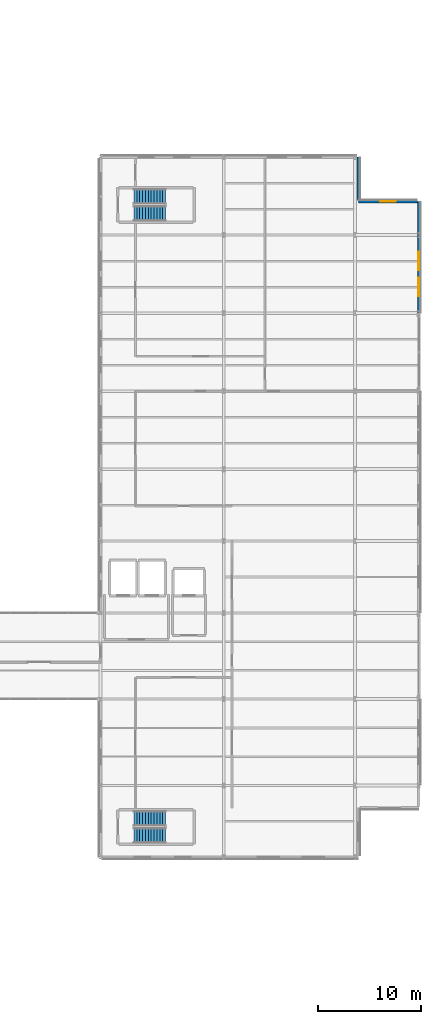
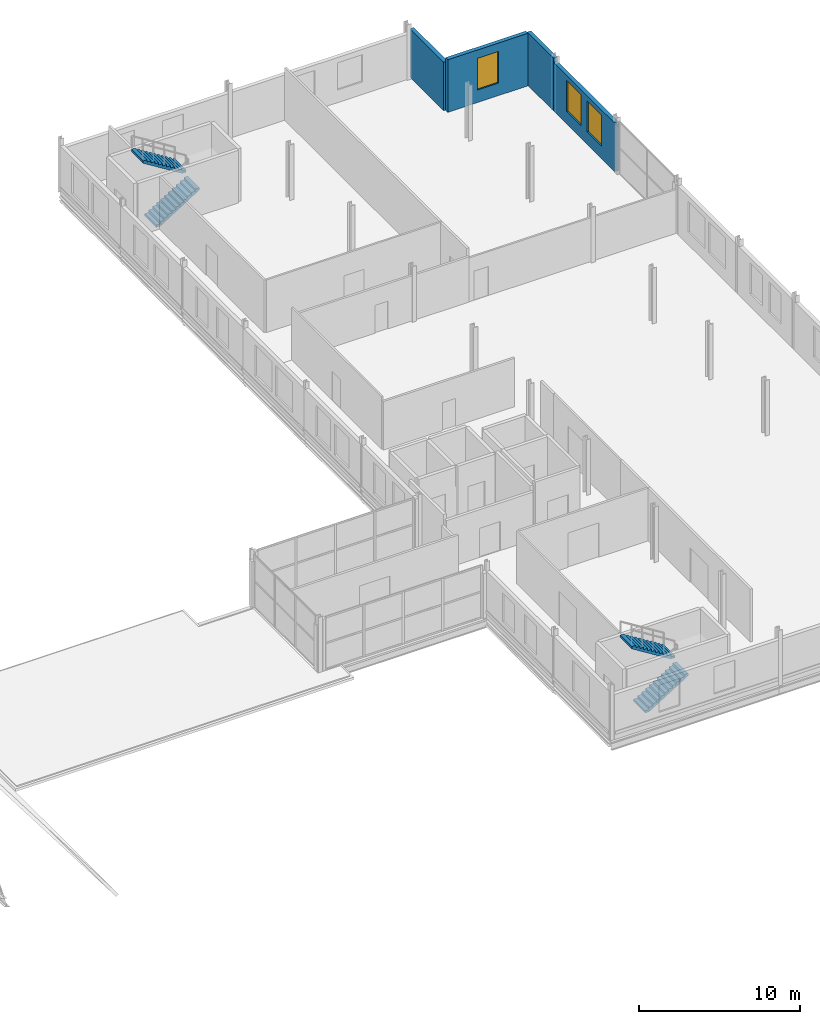
# One storey, part 88 of 93: 4 stair flights, 4 walls, 3 windows, 3 openings, 2 elements without a shape of their own.
"""IFC4 building model written with IfcOpenShell, lengths in metres."""

from ifc_helpers import new_model, si_unit, direction, frame, frame_2d, origin, place, context, subcontext, project, spatial, polyline, rectangle, outline, extrude, material, layer, layer_set, type_object, element, fill, aggregate, save


model = new_model("IFC4")

# Units and contexts
model_context = context("Model", 3, precision=1e-05, world=origin(), true_north=direction((0.0, 1.0)))
body_context = subcontext(model_context, "Body", "Model", "MODEL_VIEW")
ifc_project = project(units=[si_unit("LENGTHUNIT", "METRE"), si_unit("AREAUNIT", "SQUARE_METRE"), si_unit("VOLUMEUNIT", "CUBIC_METRE"), si_unit("PLANEANGLEUNIT", "RADIAN"), si_unit("MASSUNIT", "GRAM", prefix="KILO")], contexts=[model_context])

# Site, building, storey
site_placement = place(None, origin())
site = spatial("IfcSite", under=ifc_project, at=site_placement, CompositionType="ELEMENT")
building_placement = place(site_placement, origin())
building = spatial("IfcBuilding", under=site, at=building_placement, Name="Vekula Escarpment Museum", CompositionType="ELEMENT")
storey_placement = place(building_placement, frame((0.0, 0.0, 22.199951171875)))
storey = spatial("IfcBuildingStorey", under=building, at=storey_placement, Name="L05", CompositionType="ELEMENT", Elevation=22.199951171875)

# Wall, openings, windows
ifc_material_1 = material(Name="Inkisi arkosic sandstone masonry", Category="masonry")
ifc_layer = layer(ifc_material_1, 0.280029296875)
ifc_layer_set = layer_set([ifc_layer], Name="Inkisi arkosic sandstone masonry")
wall_type = type_object("IfcWallType", Name="WL-CUM-280", PredefinedType="SOLIDWALL", material=ifc_layer_set)
wall_1_placement = place(storey_placement, frame((198.0, 113.199951171875, 0.0), z_axis=(0.0, 0.0, 1.0), x_axis=(0.0, -1.0, 0.0)))
wall_1 = element("IfcWall", 1, at=wall_1_placement, inside=storey, type_object=wall_type, Name="Exterior Wall WL-EXT-L05-0891", PredefinedType="SOLIDWALL", context=body_context, shape_type="SweptSolid", body=[
    extrude(rectangle(XDim=7.599853515625, YDim=0.280029296875, at=frame_2d((3.7998046875, 0.0))), origin(), (0.0, 0.0, 1.0), 3.675048828125),
])
opening_1_placement = place(wall_1_placement, frame((1.63330078125, 0.0, 0.949951171875)))
opening_1 = element("IfcOpeningElement", 2, at=opening_1_placement, cuts=wall_1, Name="Opening WN-07", PredefinedType="OPENING", context=body_context, shape_type="SweptSolid", body=[
    extrude(rectangle(XDim=1.800048828125, YDim=2.330078125, at=frame_2d((0.89990234375, 1.1650390625))), frame((0.0, 0.14990234375, 0.0), z_axis=(0.0, -1.0, 0.0), x_axis=(1.0, 0.0, 0.0)), (0.0, 0.0, 1.0), 0.300048828125),
])
opening_2_placement = place(wall_1_placement, frame((4.166748046875, 0.0, 0.949951171875)))
opening_2 = element("IfcOpeningElement", 3, at=opening_2_placement, cuts=wall_1, Name="Opening WN-07", PredefinedType="OPENING", context=body_context, shape_type="SweptSolid", body=[
    extrude(rectangle(XDim=1.800048828125, YDim=2.330078125, at=frame_2d((0.89990234375, 1.1650390625))), frame((0.0, 0.14990234375, 0.0), z_axis=(0.0, -1.0, 0.0), x_axis=(1.0, 0.0, 0.0)), (0.0, 0.0, 1.0), 0.300048828125),
])
ifc_material_2 = material(Name="Double solar-control low-E glass", Category="glass")
window_type_1 = type_object("IfcWindowType", Name="WN-CUMBA-18x26", PartitioningType="DOUBLE_PANEL_VERTICAL", PredefinedType="WINDOW", material=ifc_material_2)
window_1_placement = place(opening_1_placement, origin())
window_1 = element("IfcWindow", 4, at=window_1_placement, inside=storey, type_object=window_type_1, Name="Window L05-0485", OverallHeight=2.330078125, OverallWidth=1.800048828125, PartitioningType="SINGLE_PANEL", PredefinedType="WINDOW", context=body_context, shape_type="SweptSolid", body=[
    extrude(rectangle(XDim=1.800048828125, YDim=2.330078125, at=frame_2d((0.89990234375, 1.1650390625))), frame((0.0, 0.030029296875, 0.0), z_axis=(0.0, -1.0, 0.0), x_axis=(1.0, 0.0, 0.0)), (0.0, 0.0, 1.0), 0.06005859375),
])
fill(opening_1, window_1)
window_2_placement = place(opening_2_placement, origin())
window_2 = element("IfcWindow", 5, at=window_2_placement, inside=storey, type_object=window_type_1, Name="Window L05-0486", OverallHeight=2.330078125, OverallWidth=1.800048828125, PartitioningType="SINGLE_PANEL", PredefinedType="WINDOW", context=body_context, shape_type="SweptSolid", body=[
    extrude(rectangle(XDim=1.800048828125, YDim=2.330078125, at=frame_2d((0.89990234375, 1.1650390625))), frame((0.0, 0.030029296875, 0.0), z_axis=(0.0, -1.0, 0.0), x_axis=(1.0, 0.0, 0.0)), (0.0, 0.0, 1.0), 0.06005859375),
])
fill(opening_2, window_2)

# Wall
wall_2_placement = place(storey_placement, frame((198.0, 116.468017578125, 0.0), z_axis=(0.0, 0.0, 1.0), x_axis=(0.0, -1.0, 0.0)))
element("IfcWall", 6, at=wall_2_placement, inside=storey, type_object=wall_type, Name="Exterior Wall WL-EXT-L05-0892", PredefinedType="SOLIDWALL", context=body_context, shape_type="SweptSolid", body=[
    extrude(rectangle(XDim=3.26806640625, YDim=0.280029296875, at=frame_2d((1.634033203125, 0.0))), origin(), (0.0, 0.0, 1.0), 3.97998046875),
])

# Wall, opening, window
wall_3_placement = place(storey_placement, frame((192.110107421875, 116.468017578125, 0.0), z_axis=(0.0, 0.0, 1.0), x_axis=(1.0, 0.0, 0.0)))
wall_3 = element("IfcWall", 7, at=wall_3_placement, inside=storey, type_object=wall_type, Name="Exterior Wall WL-EXT-L05-0893", PredefinedType="SOLIDWALL", context=body_context, shape_type="SweptSolid", body=[
    extrude(rectangle(XDim=5.745849609375, YDim=0.280029296875, at=frame_2d((2.873046875, 0.0))), origin(), (0.0, 0.0, 1.0), 3.97998046875),
])
opening_3_placement = place(wall_3_placement, frame((2.123046875, 0.0, 0.949951171875)))
opening_3 = element("IfcOpeningElement", 8, at=opening_3_placement, cuts=wall_3, Name="Opening WN-06", PredefinedType="OPENING", context=body_context, shape_type="SweptSolid", body=[
    extrude(rectangle(XDim=1.5, YDim=2.39990234375, at=frame_2d((0.75, 1.199951171875))), frame((0.0, 0.14990234375, 0.0), z_axis=(0.0, -1.0, 0.0), x_axis=(1.0, 0.0, 0.0)), (0.0, 0.0, 1.0), 0.300048828125),
])
ifc_material_3 = material(Name="Double solar-control low-E glass", Category="glass")
window_type_2 = type_object("IfcWindowType", Name="WN-CUMBA-15x24", PartitioningType="SINGLE_PANEL", PredefinedType="WINDOW", material=ifc_material_3)
window_3_placement = place(opening_3_placement, origin())
window_3 = element("IfcWindow", 9, at=window_3_placement, inside=storey, type_object=window_type_2, Name="Window L05-0487", OverallHeight=2.39990234375, OverallWidth=1.5, PartitioningType="SINGLE_PANEL", PredefinedType="WINDOW", context=body_context, shape_type="SweptSolid", body=[
    extrude(rectangle(XDim=1.5, YDim=2.39990234375, at=frame_2d((0.75, 1.199951171875))), frame((0.0, 0.030029296875, 0.0), z_axis=(0.0, -1.0, 0.0), x_axis=(1.0, 0.0, 0.0)), (0.0, 0.0, 1.0), 0.06005859375),
])
fill(opening_3, window_3)

# Wall
wall_4_placement = place(storey_placement, frame((192.110107421875, 120.800048828125, 0.0), z_axis=(0.0, 0.0, 1.0), x_axis=(0.0, -1.0, 0.0)))
element("IfcWall", 10, at=wall_4_placement, inside=storey, type_object=wall_type, Name="Exterior Wall WL-EXT-L05-0894", PredefinedType="SOLIDWALL", context=body_context, shape_type="SweptSolid", body=[
    extrude(rectangle(XDim=4.18798828125, YDim=0.280029296875, at=frame_2d((2.093994140625, 0.0))), origin(), (0.0, 0.0, 1.0), 3.675048828125),
])

# Stair, stair flights
ifc_material_4 = material(Name="Concrete C35/45", Category="concrete")
stair_type = type_object("IfcStairType", Name="STR-TYPE-145", PredefinedType="HALF_TURN_STAIR", material=ifc_material_4)
stair_1_placement = place(storey_placement, origin())
stair_1 = element("IfcStair", 11, at=stair_1_placement, inside=storey, type_object=stair_type, Name="L05 East Gallery Exit Stair ST-02", PredefinedType="HALF_TURN_STAIR")
ifc_material_5 = material(Name="Concrete C35/45", Category="concrete")
stair_flight_type = type_object("IfcStairFlightType", Name="FLT-TYPE-145", PredefinedType="STRAIGHT", material=ifc_material_5)
stair_flight_1_placement = place(storey_placement, frame((170.25, 54.72509765625, 0.0), z_axis=(0.0, 0.0, 1.0), x_axis=(1.0, 0.0, 0.0)))
stair_flight_1 = element("IfcStairFlight", 12, at=stair_flight_1_placement, type_object=stair_flight_type, Name="ST-02 flight 1", NumberOfRisers=12, NumberOfTreads=11, PredefinedType="STRAIGHT", RiserHeight=0.175, TreadLength=0.28, context=body_context, shape_type="SweptSolid", body=[
    extrude(outline(polyline([(0.0, 0.0), (0.0, 0.175048828125), (0.280029296875, 0.175048828125), (0.280029296875, 0.35009765625), (0.56005859375, 0.35009765625), (0.56005859375, 0.52490234375), (0.840087890625, 0.52490234375), (0.840087890625, 0.699951171875), (1.1201171875, 0.699951171875), (1.1201171875, 0.875), (1.39990234375, 0.875), (1.39990234375, 1.050048828125), (1.679931640625, 1.050048828125), (1.679931640625, 1.22509765625), (1.9599609375, 1.22509765625), (1.9599609375, 1.39990234375), (2.239990234375, 1.39990234375), (2.239990234375, 1.574951171875), (2.52001953125, 1.574951171875), (2.52001953125, 1.75), (2.800048828125, 1.75), (2.800048828125, 1.925048828125), (3.080078125, 1.925048828125), (3.080078125, 2.10009765625), (3.080078125, 1.748291015625), (0.28271484375, 0.0), (0.0, 0.0)])), frame((0.0, 0.72509765625, 0.0), z_axis=(0.0, -1.0, 0.0), x_axis=(1.0, 0.0, 0.0)), (0.0, 0.0, 1.0), 1.449951171875),
])
stair_flight_2_placement = place(storey_placement, frame((173.330078125, 56.375, 2.10009765625), z_axis=(0.0, 0.0, 1.0), x_axis=(-1.0, 0.0, 0.0)))
stair_flight_2 = element("IfcStairFlight", 13, at=stair_flight_2_placement, type_object=stair_flight_type, Name="ST-02 flight 2", NumberOfRisers=12, NumberOfTreads=11, PredefinedType="STRAIGHT", RiserHeight=0.175, TreadLength=0.28, context=body_context, shape_type="SweptSolid", body=[
    extrude(outline(polyline([(0.0, 0.0), (0.0, 0.175048828125), (0.280029296875, 0.175048828125), (0.280029296875, 0.35009765625), (0.56005859375, 0.35009765625), (0.56005859375, 0.52490234375), (0.840087890625, 0.52490234375), (0.840087890625, 0.699951171875), (1.1201171875, 0.699951171875), (1.1201171875, 0.875), (1.39990234375, 0.875), (1.39990234375, 1.050048828125), (1.679931640625, 1.050048828125), (1.679931640625, 1.22509765625), (1.9599609375, 1.22509765625), (1.9599609375, 1.39990234375), (2.239990234375, 1.39990234375), (2.239990234375, 1.574951171875), (2.52001953125, 1.574951171875), (2.52001953125, 1.75), (2.800048828125, 1.75), (2.800048828125, 1.925048828125), (3.080078125, 1.925048828125), (3.080078125, 2.10009765625), (3.080078125, 1.748291015625), (0.28271484375, 0.0), (0.0, 0.0)])), frame((0.0, 0.72509765625, 0.0), z_axis=(0.0, -1.0, 0.0), x_axis=(1.0, 0.0, 0.0)), (0.0, 0.0, 1.0), 1.449951171875),
])
aggregate(stair_1, [stair_flight_1, stair_flight_2])

stair_2_placement = place(storey_placement, origin())
stair_2 = element("IfcStair", 14, at=stair_2_placement, inside=storey, type_object=stair_type, Name="L05 Northeast Cumba Exit Stair ST-05", PredefinedType="HALF_TURN_STAIR")
stair_flight_3_placement = place(storey_placement, frame((170.25, 115.324951171875, 0.0), z_axis=(0.0, 0.0, 1.0), x_axis=(1.0, 0.0, 0.0)))
stair_flight_3 = element("IfcStairFlight", 15, at=stair_flight_3_placement, type_object=stair_flight_type, Name="ST-05 flight 1", NumberOfRisers=12, NumberOfTreads=11, PredefinedType="STRAIGHT", RiserHeight=0.175, TreadLength=0.28, context=body_context, shape_type="SweptSolid", body=[
    extrude(outline(polyline([(0.0, 0.0), (0.0, 0.175048828125), (0.280029296875, 0.175048828125), (0.280029296875, 0.35009765625), (0.56005859375, 0.35009765625), (0.56005859375, 0.52490234375), (0.840087890625, 0.52490234375), (0.840087890625, 0.699951171875), (1.1201171875, 0.699951171875), (1.1201171875, 0.875), (1.39990234375, 0.875), (1.39990234375, 1.050048828125), (1.679931640625, 1.050048828125), (1.679931640625, 1.22509765625), (1.9599609375, 1.22509765625), (1.9599609375, 1.39990234375), (2.239990234375, 1.39990234375), (2.239990234375, 1.574951171875), (2.52001953125, 1.574951171875), (2.52001953125, 1.75), (2.800048828125, 1.75), (2.800048828125, 1.925048828125), (3.080078125, 1.925048828125), (3.080078125, 2.10009765625), (3.080078125, 1.748291015625), (0.28271484375, 0.0), (0.0, 0.0)])), frame((0.0, 0.72509765625, 0.0), z_axis=(0.0, -1.0, 0.0), x_axis=(1.0, 0.0, 0.0)), (0.0, 0.0, 1.0), 1.449951171875),
])
stair_flight_4_placement = place(storey_placement, frame((173.330078125, 116.97509765625, 2.10009765625), z_axis=(0.0, 0.0, 1.0), x_axis=(-1.0, 0.0, 0.0)))
stair_flight_4 = element("IfcStairFlight", 16, at=stair_flight_4_placement, type_object=stair_flight_type, Name="ST-05 flight 2", NumberOfRisers=12, NumberOfTreads=11, PredefinedType="STRAIGHT", RiserHeight=0.175, TreadLength=0.28, context=body_context, shape_type="SweptSolid", body=[
    extrude(outline(polyline([(0.0, 0.0), (0.0, 0.175048828125), (0.280029296875, 0.175048828125), (0.280029296875, 0.35009765625), (0.56005859375, 0.35009765625), (0.56005859375, 0.52490234375), (0.840087890625, 0.52490234375), (0.840087890625, 0.699951171875), (1.1201171875, 0.699951171875), (1.1201171875, 0.875), (1.39990234375, 0.875), (1.39990234375, 1.050048828125), (1.679931640625, 1.050048828125), (1.679931640625, 1.22509765625), (1.9599609375, 1.22509765625), (1.9599609375, 1.39990234375), (2.239990234375, 1.39990234375), (2.239990234375, 1.574951171875), (2.52001953125, 1.574951171875), (2.52001953125, 1.75), (2.800048828125, 1.75), (2.800048828125, 1.925048828125), (3.080078125, 1.925048828125), (3.080078125, 2.10009765625), (3.080078125, 1.748291015625), (0.28271484375, 0.0), (0.0, 0.0)])), frame((0.0, 0.72509765625, 0.0), z_axis=(0.0, -1.0, 0.0), x_axis=(1.0, 0.0, 0.0)), (0.0, 0.0, 1.0), 1.449951171875),
])
aggregate(stair_2, [stair_flight_3, stair_flight_4])

save(model, "model.ifc")
